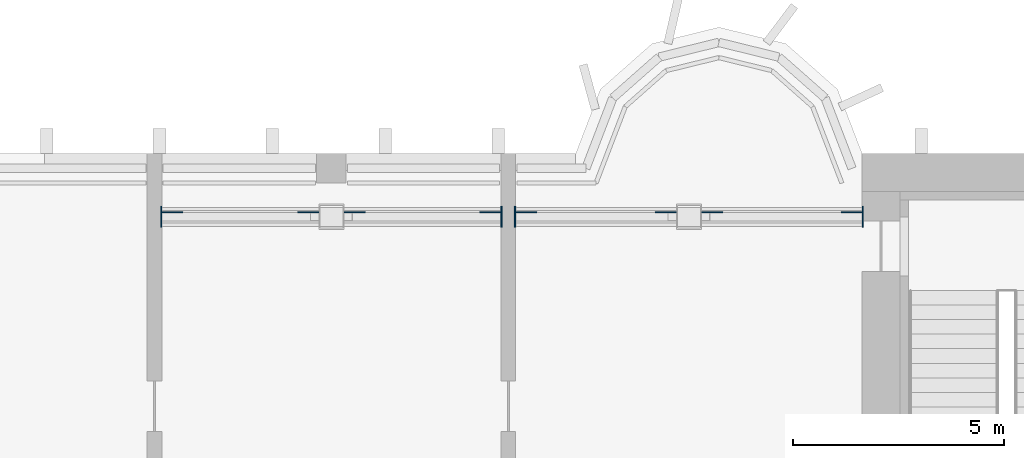
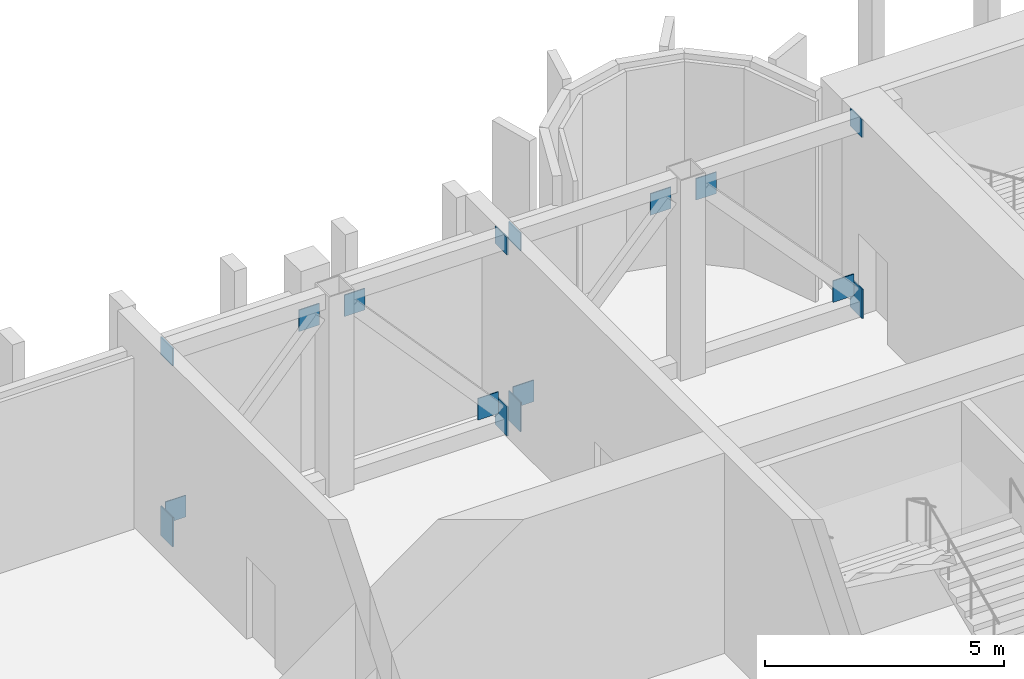
# One storey, part 12 of 17: 16 discrete accessories.
"""IFC4 building model written with IfcOpenShell, lengths in metres."""

from ifc_helpers import new_model, si_unit, direction, frame, origin, origin_2d, place, context, subcontext, project, spatial, rectangle, extrude, source, transform, mapped, material, layer, layer_set, type_object, element, save


model = new_model("IFC4")

# Units and contexts
model_context = context("Model", 3, precision=1e-05, world=origin(), true_north=direction((0.0, 1.0)))
body_context = subcontext(model_context, "Body", "Model", "MODEL_VIEW")
ifc_project = project(units=[si_unit("LENGTHUNIT", "METRE"), si_unit("AREAUNIT", "SQUARE_METRE"), si_unit("VOLUMEUNIT", "CUBIC_METRE"), si_unit("PLANEANGLEUNIT", "RADIAN"), si_unit("MASSUNIT", "GRAM", prefix="KILO")], contexts=[model_context])

# Site, building, storey
site_placement = place(None, origin())
site = spatial("IfcSite", under=ifc_project, at=site_placement, CompositionType="ELEMENT")
building_placement = place(site_placement, origin())
building = spatial("IfcBuilding", under=site, at=building_placement, Name="Vanashikhar Sky Hotel", CompositionType="ELEMENT")
storey_placement = place(building_placement, frame((0.0, 0.0, 140.800048828125)))
storey = spatial("IfcBuildingStorey", under=building, at=storey_placement, Name="L34", CompositionType="ELEMENT", Elevation=140.800048828125)

# Discrete accessories
ifc_material = material(Name="Steel S355", Category="steel")
ifc_layer_1 = layer(ifc_material, 0.030029296875)
ifc_layer_set_1 = layer_set([ifc_layer_1], Name="Cast-in anchor plate 500x750x30")
discrete_accessory_type_1 = type_object("IfcDiscreteAccessoryType", Name="Cast-in anchor plate 500x750x30", PredefinedType="ANCHORPLATE", material=ifc_layer_set_1)
shared_shape_1 = source(origin(), body_context, "Body", "SweptSolid", [
    extrude(rectangle(XDim=0.030029296875, YDim=0.5, at=origin_2d()), origin(), (0.0, 0.0, 1.0), 0.75),
])
for number, where, z_axis, x_axis, name in (
    (1, (8.56005859375, 40.5, 0.02490234375), (0.0, 0.0, 1.0), (1.0, 0.0, 0.0), "EP-L34-R11AB"),
    (2, (16.639892578125, 40.5, 0.02490234375), (0.0, 0.0, 1.0), (1.0, 0.0, 0.0), "EP-L34-R11BB"),
    (3, (16.9599609375, 40.5, 0.02490234375), (0.0, 0.0, 1.0), (1.0, 0.0, 0.0), "EP-L34-R12AB"),
    (4, (25.215087890625, 40.5, 0.02490234375), (0.0, 0.0, 1.0), (1.0, 0.0, 0.0), "EP-L34-R12BB"),
):
    element("IfcDiscreteAccessory", number, at=place(storey_placement, frame(where, z_axis=z_axis, x_axis=x_axis)), inside=storey, type_object=discrete_accessory_type_1, Name=name, PredefinedType="ANCHORPLATE", context=body_context, shape_type="MappedRepresentation", body=[
        mapped(shared_shape_1, transform((0.0, 0.0, 0.0), scale=1.0)),
    ])
ifc_layer_2 = layer(ifc_material, 0.030029296875)
ifc_layer_set_2 = layer_set([ifc_layer_2], Name="Cast-in anchor plate 500x450x30")
discrete_accessory_type_2 = type_object("IfcDiscreteAccessoryType", Name="Cast-in anchor plate 500x450x30", PredefinedType="ANCHORPLATE", material=ifc_layer_set_2)
shared_shape_2 = source(origin(), body_context, "Body", "SweptSolid", [
    extrude(rectangle(XDim=0.030029296875, YDim=0.5, at=origin_2d()), origin(), (0.0, 0.0, 1.0), 0.449951171875),
])
for number, where, z_axis, x_axis, name in (
    (5, (8.56005859375, 40.5, 4.64501953125), (0.0, 0.0, 1.0), (1.0, 0.0, 0.0), "EP-L34-R11AT"),
    (6, (16.639892578125, 40.5, 4.64501953125), (0.0, 0.0, 1.0), (1.0, 0.0, 0.0), "EP-L34-R11BT"),
    (7, (16.9599609375, 40.5, 4.64501953125), (0.0, 0.0, 1.0), (1.0, 0.0, 0.0), "EP-L34-R12AT"),
    (8, (25.215087890625, 40.5, 4.64501953125), (0.0, 0.0, 1.0), (1.0, 0.0, 0.0), "EP-L34-R12BT"),
):
    element("IfcDiscreteAccessory", number, at=place(storey_placement, frame(where, z_axis=z_axis, x_axis=x_axis)), inside=storey, type_object=discrete_accessory_type_2, Name=name, PredefinedType="ANCHORPLATE", context=body_context, shape_type="MappedRepresentation", body=[
        mapped(shared_shape_2, transform((0.0, 0.0, 0.0), scale=1.0)),
    ])
ifc_layer_3 = layer(ifc_material, 0.02490234375)
ifc_layer_set_3 = layer_set([ifc_layer_3], Name="Truss gusset plate 500x550x25")
discrete_accessory_type_3 = type_object("IfcDiscreteAccessoryType", Name="Truss gusset plate 500x550x25", PredefinedType="BRACKET", material=ifc_layer_set_3)
shared_shape_3 = source(origin(), body_context, "Body", "SweptSolid", [
    extrude(rectangle(XDim=0.5, YDim=0.02490234375, at=origin_2d()), origin(), (0.0, 0.0, 1.0), 0.550048828125),
])
for number, where, z_axis, x_axis, name in (
    (9, (8.824951171875, 40.612548828125, 0.39990234375), (0.0, 0.0, 1.0), (1.0, 0.0, 0.0), "GS-L34-R11LA"),
    (10, (12.050048828125, 40.612548828125, 4.169921875), (0.0, 0.0, 1.0), (1.0, 0.0, 0.0), "GS-L34-R11LB"),
    (11, (16.375, 40.612548828125, 0.39990234375), (0.0, 0.0, 1.0), (1.0, 0.0, 0.0), "GS-L34-R11RA"),
    (12, (13.14990234375, 40.612548828125, 4.169921875), (0.0, 0.0, 1.0), (1.0, 0.0, 0.0), "GS-L34-R11RB"),
    (13, (17.22509765625, 40.612548828125, 0.39990234375), (0.0, 0.0, 1.0), (1.0, 0.0, 0.0), "GS-L34-R12LA"),
    (14, (20.53759765625, 40.612548828125, 4.169921875), (0.0, 0.0, 1.0), (1.0, 0.0, 0.0), "GS-L34-R12LB"),
    (15, (24.949951171875, 40.612548828125, 0.39990234375), (0.0, 0.0, 1.0), (1.0, 0.0, 0.0), "GS-L34-R12RA"),
    (16, (21.637451171875, 40.612548828125, 4.169921875), (0.0, 0.0, 1.0), (1.0, 0.0, 0.0), "GS-L34-R12RB"),
):
    element("IfcDiscreteAccessory", number, at=place(storey_placement, frame(where, z_axis=z_axis, x_axis=x_axis)), inside=storey, type_object=discrete_accessory_type_3, Name=name, PredefinedType="BRACKET", context=body_context, shape_type="MappedRepresentation", body=[
        mapped(shared_shape_3, transform((0.0, 0.0, 0.0), scale=1.0)),
    ])

save(model, "model.ifc")
